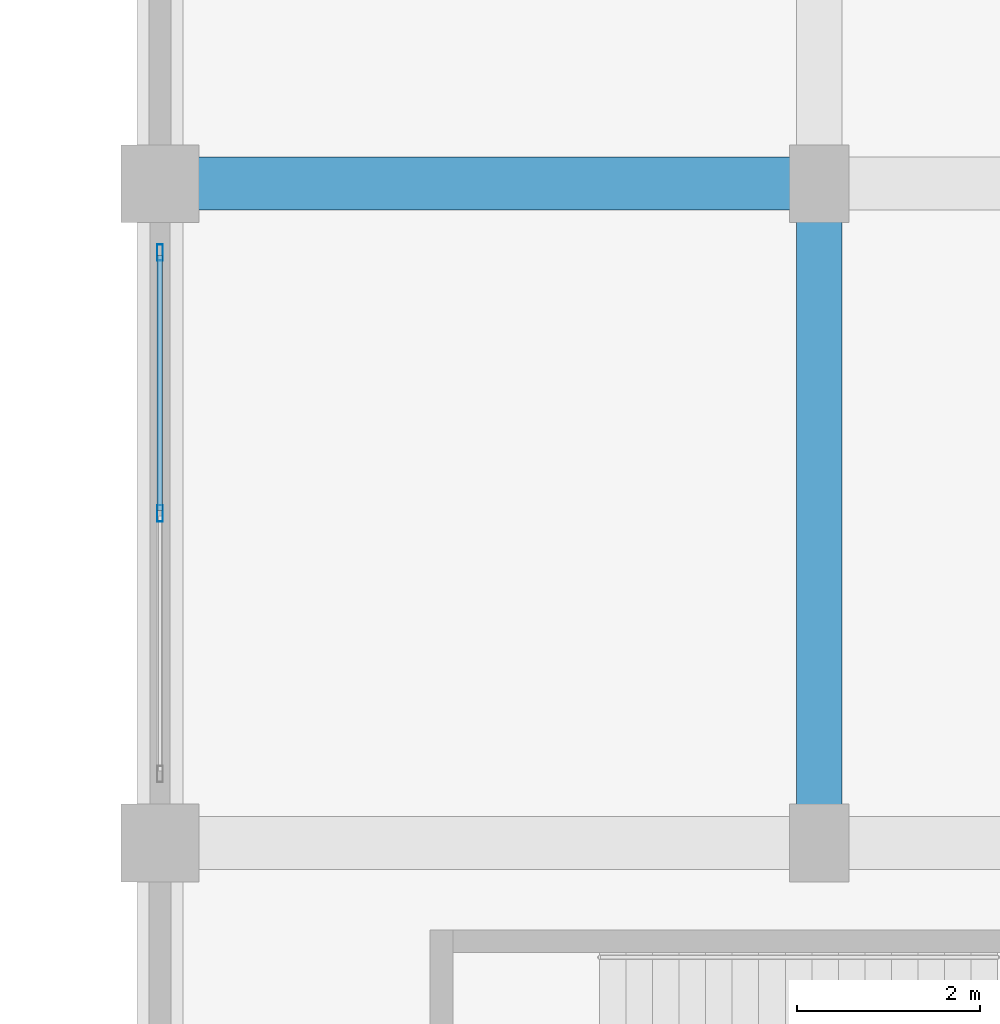
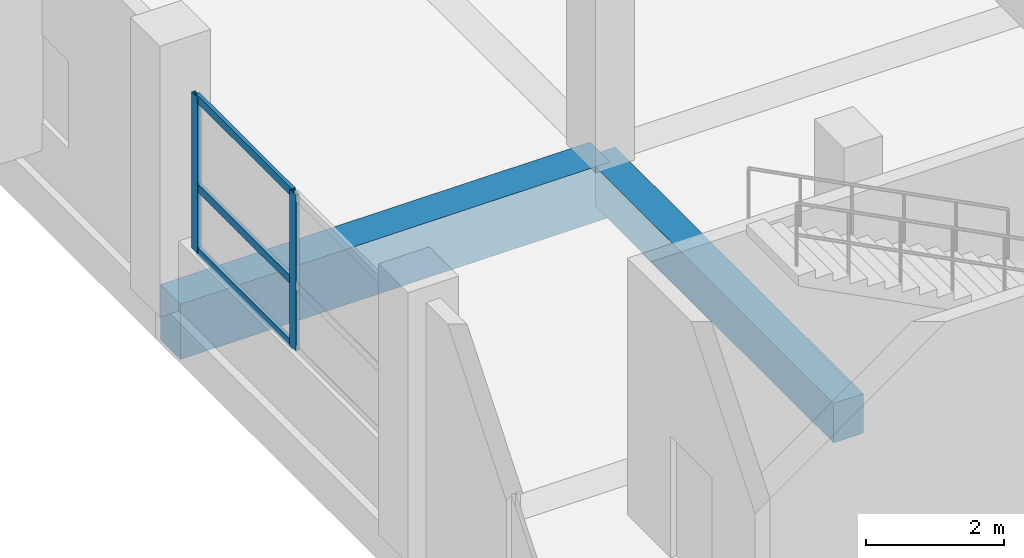
# One storey, part 102 of 181: 5 members, 2 beams, 1 element without a shape of its own.
"""IFC4 building model written with IfcOpenShell, lengths in metres."""

import ifcopenshell
import ifcopenshell.guid

model = None  # the IFC model being written
_history = None  # IfcOwnerHistory: only IFC2X3 demands one
_inside = {}  # id of a spatial element -> (the spatial element, [elements in it])
_under = {}  # id of a project, library or spatial element -> (it, [spatial elements below it])
_declared = {}  # id of a project -> (the project, [libraries it declares])
_typed = {}  # id of a type object -> (the type object, [elements of that type])
_made_of = {}  # id of a material, layer set ... -> (it, [elements and type objects made of it])


def new_model(schema):
    """Start an empty IFC model of exactly this schema.

    Asked for "IFC4X3", IfcOpenShell would pick the latest addendum, in which some entities
    have other attributes; the version numbers below select the first issue.
    IFC2X3 requires an IfcOwnerHistory on every rooted entity: one is made here for all.
    """
    global model, _history
    if schema == "IFC4X3":
        model = ifcopenshell.file(schema_version=(4, 3, 0, 0))
    else:
        model = ifcopenshell.file(schema=schema)
    _inside.clear()
    _under.clear()
    _declared.clear()
    _typed.clear()
    _made_of.clear()
    _history = None
    if model.schema == "IFC2X3":
        org = make("IfcOrganization", Name="unknown")
        user = make(
            "IfcPersonAndOrganization",
            ThePerson=make("IfcPerson", FamilyName="unknown"),
            TheOrganization=org,
        )
        app = make(
            "IfcApplication",
            ApplicationDeveloper=org,
            Version="unknown",
            ApplicationFullName="unknown",
            ApplicationIdentifier="unknown",
        )
        _history = make(
            "IfcOwnerHistory",
            OwningUser=user,
            OwningApplication=app,
            ChangeAction="ADDED",
            CreationDate=0,
        )
    return model


def make(cls, **values):
    """One entity of the class cls with the attributes given. An attribute that is None is left unset."""
    return model.create_entity(
        cls, **{name: value for name, value in values.items() if value is not None}
    )


def rooted(cls, **values):
    """An entity with a GlobalId (a new one), such as an element, a storey or a relation."""
    return make(cls, GlobalId=ifcopenshell.guid.new(), OwnerHistory=_history, **values)


def si_unit(unit_type, name, prefix=None):
    """IfcSIUnit, for example si_unit("LENGTHUNIT", "METRE", prefix="MILLI")."""
    return make("IfcSIUnit", UnitType=unit_type, Prefix=prefix, Name=name)


def assignment(units):
    """IfcUnitAssignment: the units of a project."""
    return None if units is None else make("IfcUnitAssignment", Units=units)


def point(xyz):
    """IfcCartesianPoint."""
    return None if xyz is None else make("IfcCartesianPoint", Coordinates=xyz)


def direction(xyz):
    """IfcDirection."""
    return None if xyz is None else make("IfcDirection", DirectionRatios=xyz)


def frame(location, z_axis=None, x_axis=None):
    """IfcAxis2Placement3D, a coordinate frame: its origin and axes. An axis left out is left unset."""
    return make(
        "IfcAxis2Placement3D",
        Location=point(location),
        Axis=direction(z_axis),
        RefDirection=direction(x_axis),
    )


def frame_2d(location, x_axis=None):
    """IfcAxis2Placement2D, a coordinate frame in the plane: its origin and x axis."""
    return make(
        "IfcAxis2Placement2D", Location=point(location), RefDirection=direction(x_axis)
    )


def origin():
    """The frame at (0, 0, 0) with its axes left unset."""
    return frame((0.0, 0.0, 0.0))


def origin_2d():
    """The frame at (0, 0) in the plane with its x axis left unset."""
    return frame_2d((0.0, 0.0))


def place(relative_to, where):
    """IfcLocalPlacement: puts the frame where relative to a parent placement (None: the world)."""
    return make(
        "IfcLocalPlacement", PlacementRelTo=relative_to, RelativePlacement=where
    )


def context(
    kind, dimensions, precision=None, world=None, true_north=None, identifier=None
):
    """IfcGeometricRepresentationContext, for example the 3D "Model" context."""
    return make(
        "IfcGeometricRepresentationContext",
        ContextIdentifier=identifier,
        ContextType=kind,
        CoordinateSpaceDimension=dimensions,
        Precision=precision,
        WorldCoordinateSystem=world,
        TrueNorth=true_north,
    )


def subcontext(parent, identifier, kind, view, scale=None):
    """IfcGeometricRepresentationSubContext, for example "Body" below "Model"."""
    return make(
        "IfcGeometricRepresentationSubContext",
        ContextIdentifier=identifier,
        ContextType=kind,
        ParentContext=parent,
        TargetScale=scale,
        TargetView=view,
    )


def project(units=None, contexts=None):
    """IfcProject with its units and contexts."""
    return rooted(
        "IfcProject",
        Name="project",
        RepresentationContexts=contexts,
        UnitsInContext=assignment(units),
    )


def spatial(cls, under=None, at=None, **own):
    """A site, building, storey or space (cls), placed at a placement, below another one or the project."""
    s = rooted(cls, ObjectPlacement=at, **own)
    if under is not None:
        _under.setdefault(under.id(), (under, []))[1].append(s)
    return s


def profile(cls, at=None, kind="AREA", **sizes):
    """A parametric profile (cls). Its sizes go by their IFC names, for example OverallWidth=200.0."""
    return make(cls, ProfileType=kind, Position=at, **sizes)


def rectangle(**sizes):
    """IfcRectangleProfileDef."""
    return profile("IfcRectangleProfileDef", **sizes)


def hollow_rectangle(**sizes):
    """IfcRectangleHollowProfileDef."""
    return profile("IfcRectangleHollowProfileDef", **sizes)


def extrude(swept, where, along, depth):
    """IfcExtrudedAreaSolid: the profile swept, set in the frame where, extruded along a direction by depth."""
    return make(
        "IfcExtrudedAreaSolid",
        SweptArea=swept,
        Position=where,
        ExtrudedDirection=direction(along),
        Depth=depth,
    )


def shape(context_of_items, identifier, shape_type, items):
    """IfcShapeRepresentation: the items that make up one representation, for example the "Body"."""
    return make(
        "IfcShapeRepresentation",
        ContextOfItems=context_of_items,
        RepresentationIdentifier=identifier,
        RepresentationType=shape_type,
        Items=items,
    )


def material(Name=None, Category=None):
    """IfcMaterial."""
    return make("IfcMaterial", Name=Name, Category=Category)


def layer(
    of_material, thickness, ventilated=None, Name=None, Category=None, Priority=None
):
    """IfcMaterialLayer: one layer of a wall or slab, of a material (None: an air gap)."""
    return make(
        "IfcMaterialLayer",
        Material=of_material,
        LayerThickness=thickness,
        IsVentilated=ventilated,
        Name=Name,
        Category=Category,
        Priority=Priority,
    )


def layer_set(layers, Name=None):
    """IfcMaterialLayerSet."""
    return make("IfcMaterialLayerSet", MaterialLayers=layers, LayerSetName=Name)


def material_profile(
    of_material, cross_section, Name=None, Category=None, Priority=None
):
    """IfcMaterialProfile: a cross section and its material."""
    return make(
        "IfcMaterialProfile",
        Name=Name,
        Material=of_material,
        Profile=cross_section,
        Priority=Priority,
        Category=Category,
    )


def profile_set(profiles, Name=None, composite=None):
    """IfcMaterialProfileSet."""
    return make(
        "IfcMaterialProfileSet",
        Name=Name,
        MaterialProfiles=profiles,
        CompositeProfile=composite,
    )


def made_of(thing, what):
    """Note that an element or type object is made of a material, layer set ...; save() writes the relation."""
    if what is not None:
        _made_of.setdefault(what.id(), (what, []))[1].append(thing)
    return thing


def type_object(cls, material=None, **own):
    """A type object (cls), such as IfcWallType, which elements share."""
    return made_of(rooted(cls, **own), material)


def element(
    cls,
    number,
    at=None,
    inside=None,
    cuts=None,
    type_object=None,
    material=None,
    context=None,
    identifier="Body",
    shape_type=None,
    held_by="IfcProductDefinitionShape",
    body=None,
    shapes=None,
    **own,
):
    """One element of the class cls, such as IfcWall. Its Tag is "e" and its number.

    at: its placement. inside: the storey or other place that contains it. cuts: it is an
    opening in that element (IfcRelVoidsElement). A single representation is given by context,
    identifier, shape_type and body (its items); several are given by shapes. held_by: the class
    of the entity that holds the representations. save() writes the other relations.
    """
    e = rooted(cls, Tag="e%d" % number, ObjectPlacement=at, **own)
    if body is not None:
        shapes = [shape(context, identifier, shape_type, body)]
    if shapes is not None:
        e.Representation = make(held_by, Representations=shapes)
    if inside is not None:
        _inside.setdefault(inside.id(), (inside, []))[1].append(e)
    if cuts is not None:
        rooted(
            "IfcRelVoidsElement", RelatingBuildingElement=cuts, RelatedOpeningElement=e
        )
    if type_object is not None:
        _typed.setdefault(type_object.id(), (type_object, []))[1].append(e)
    return made_of(e, material)


def aggregate(whole, parts):
    """IfcRelAggregates: a whole, such as a stair, and the parts it consists of."""
    return rooted("IfcRelAggregates", RelatingObject=whole, RelatedObjects=parts)


def save(model, path):
    """Write the relations noted so far, then the file.

    IfcRelAggregates (storeys below a building ...), IfcRelContainedInSpatialStructure (elements
    in a storey), IfcRelDefinesByType, IfcRelAssociatesMaterial and IfcRelDeclares: one each for
    every whole, place, type object, material and project.
    """
    for whole, parts in _under.values():
        aggregate(whole, parts)
    for where, things in _inside.values():
        rooted(
            "IfcRelContainedInSpatialStructure",
            RelatedElements=things,
            RelatingStructure=where,
        )
    for kind, things in _typed.values():
        rooted("IfcRelDefinesByType", RelatedObjects=things, RelatingType=kind)
    for what, things in _made_of.values():
        rooted("IfcRelAssociatesMaterial", RelatedObjects=things, RelatingMaterial=what)
    for by, libraries in _declared.values():
        rooted("IfcRelDeclares", RelatingContext=by, RelatedDefinitions=libraries)
    model.write(path)


model = new_model("IFC4")

# Units and contexts
model_context = context("Model", 3, precision=1e-05, world=origin(), true_north=direction((0.0, 1.0)))
body_context = subcontext(model_context, "Body", "Model", "MODEL_VIEW")
ifc_project = project(units=[si_unit("LENGTHUNIT", "METRE"), si_unit("AREAUNIT", "SQUARE_METRE"), si_unit("VOLUMEUNIT", "CUBIC_METRE"), si_unit("PLANEANGLEUNIT", "RADIAN"), si_unit("MASSUNIT", "GRAM", prefix="KILO")], contexts=[model_context])

# Site, building, storey
site_placement = place(None, origin())
site = spatial("IfcSite", under=ifc_project, at=site_placement, CompositionType="ELEMENT")
building_placement = place(site_placement, origin())
building = spatial("IfcBuilding", under=site, at=building_placement, Name="Seraya Terrace Polytechnic", CompositionType="ELEMENT")
storey_placement = place(building_placement, frame((0.0, 0.0, 4.800048828125)))
storey = spatial("IfcBuildingStorey", under=building, at=storey_placement, Name="L01", CompositionType="ELEMENT", Elevation=4.800048828125)

# Beams
ifc_material_1 = material(Name="Concrete C40/50", Category="concrete")
ifc_material_profile_1 = material_profile(ifc_material_1, rectangle(XDim=0.580078125, YDim=0.97998046875, at=origin_2d()), Name="RC 580x980")
ifc_profile_set_1 = profile_set([ifc_material_profile_1], Name="Concrete C40/50")
beam_type_1 = type_object("IfcBeamType", Name="BM-02", PredefinedType="BEAM", material=ifc_profile_set_1)
beam_1_placement = place(storey_placement, frame((115.199951171875, 100.800048828125, -0.489990234375), z_axis=(1.0, 0.0, 0.0), x_axis=(0.0, 1.0, 0.0)))
element("IfcBeam", 1, at=beam_1_placement, inside=storey, type_object=beam_type_1, Name="Beam BM-02 L01 X (115.2..122.4, 100.8)", PredefinedType="BEAM", context=body_context, shape_type="SweptSolid", body=[
    extrude(rectangle(XDim=0.580078125, YDim=0.97998046875, at=origin_2d()), origin(), (0.0, 0.0, 1.0), 7.199951171875),
])
ifc_material_profile_2 = material_profile(ifc_material_1, rectangle(XDim=0.5, YDim=0.699951171875, at=origin_2d()), Name="RC 500x700")
ifc_profile_set_2 = profile_set([ifc_material_profile_2], Name="Concrete C40/50")
beam_type_2 = type_object("IfcBeamType", Name="BM-07", PredefinedType="BEAM", material=ifc_profile_set_2)
beam_2_placement = place(storey_placement, frame((122.39990234375, 93.60009765625, -0.35009765625), z_axis=(0.0, 1.0, 0.0), x_axis=(-1.0, 0.0, 0.0)))
element("IfcBeam", 2, at=beam_2_placement, inside=storey, type_object=beam_type_2, Name="Beam BM-07 L01 Y (122.4, 93.6..100.8)", PredefinedType="BEAM", context=body_context, shape_type="SweptSolid", body=[
    extrude(rectangle(XDim=0.5, YDim=0.699951171875, at=origin_2d()), origin(), (0.0, 0.0, 1.0), 7.199951171875),
])

# Curtain wall, members
ifc_material_2 = material(Name="Anodised aluminium EN AW-6063 T6", Category="aluminium")
ifc_layer = layer(ifc_material_2, 0.179931640625, Name="CW-16")
ifc_layer_set = layer_set([ifc_layer], Name="Anodised aluminium EN AW-6063 T6")
curtain_wall_type = type_object("IfcCurtainWallType", Name="CW-16", PredefinedType="NOTDEFINED", material=ifc_layer_set)
curtain_wall_placement = place(storey_placement, origin())
curtain_wall = element("IfcCurtainWall", 3, at=curtain_wall_placement, inside=storey, type_object=curtain_wall_type, Name="Unitised curtain wall CW-16 (CW-L01-016)", PredefinedType="NOTDEFINED")
ifc_material_profile_3 = material_profile(ifc_material_2, hollow_rectangle(XDim=0.06494140625, YDim=0.179931640625, WallThickness=0.00390625, at=origin_2d()), Name="RHS 180x65x4.0")
ifc_profile_set_3 = profile_set([ifc_material_profile_3], Name="Anodised aluminium EN AW-6063 T6")
member_type_1 = type_object("IfcMemberType", Name="CWM-01", PredefinedType="MULLION", material=ifc_profile_set_3)
member_1_placement = place(storey_placement, frame((115.199951171875, 97.199951171875, 1.239990234375), z_axis=(0.0, 0.0, 1.0), x_axis=(-1.0, 0.0, 0.0)))
member_1 = element("IfcMember", 4, at=member_1_placement, type_object=member_type_1, Name="CW-16 mullion 2", PredefinedType="MULLION", context=body_context, shape_type="SweptSolid", body=[
    extrude(hollow_rectangle(XDim=0.06494140625, YDim=0.179931640625, WallThickness=0.00390625, at=origin_2d()), origin(), (0.0, 0.0, 1.0), 2.760009765625),
])
member_2_placement = place(storey_placement, frame((115.199951171875, 100.047607421875, 1.239990234375), z_axis=(0.0, 0.0, 1.0), x_axis=(-1.0, 0.0, 0.0)))
member_2 = element("IfcMember", 5, at=member_2_placement, type_object=member_type_1, Name="CW-16 mullion 3", PredefinedType="MULLION", context=body_context, shape_type="SweptSolid", body=[
    extrude(hollow_rectangle(XDim=0.06494140625, YDim=0.179931640625, WallThickness=0.00390625, at=origin_2d()), origin(), (0.0, 0.0, 1.0), 2.760009765625),
])
ifc_material_profile_4 = material_profile(ifc_material_2, hollow_rectangle(XDim=0.06005859375, YDim=0.139892578125, WallThickness=0.00341796875, at=origin_2d()), Name="RHS 140x60x3.5")
ifc_profile_set_4 = profile_set([ifc_material_profile_4], Name="Anodised aluminium EN AW-6063 T6")
member_type_2 = type_object("IfcMemberType", Name="CWT-01", PredefinedType="USERDEFINED", material=ifc_profile_set_4)
member_3_placement = place(storey_placement, frame((115.199951171875, 97.232421875, 1.27001953125), z_axis=(0.0, 1.0, 0.0), x_axis=(-1.0, 0.0, 0.0)))
member_3 = element("IfcMember", 6, at=member_3_placement, type_object=member_type_2, Name="CW-16 transom 2.1", ObjectType="TRANSOM", PredefinedType="USERDEFINED", context=body_context, shape_type="SweptSolid", body=[
    extrude(hollow_rectangle(XDim=0.06005859375, YDim=0.139892578125, WallThickness=0.00341796875, at=origin_2d()), origin(), (0.0, 0.0, 1.0), 2.782470703125),
])
member_4_placement = place(storey_placement, frame((115.199951171875, 97.232421875, 2.399169921875), z_axis=(0.0, 1.0, 0.0), x_axis=(-1.0, 0.0, 0.0)))
member_4 = element("IfcMember", 7, at=member_4_placement, type_object=member_type_2, Name="CW-16 transom 2.2", ObjectType="TRANSOM", PredefinedType="USERDEFINED", context=body_context, shape_type="SweptSolid", body=[
    extrude(hollow_rectangle(XDim=0.06005859375, YDim=0.139892578125, WallThickness=0.00341796875, at=origin_2d()), origin(), (0.0, 0.0, 1.0), 2.782470703125),
])
member_5_placement = place(storey_placement, frame((115.199951171875, 97.232421875, 3.969970703125), z_axis=(0.0, 1.0, 0.0), x_axis=(-1.0, 0.0, 0.0)))
member_5 = element("IfcMember", 8, at=member_5_placement, type_object=member_type_2, Name="CW-16 transom 2.3", ObjectType="TRANSOM", PredefinedType="USERDEFINED", context=body_context, shape_type="SweptSolid", body=[
    extrude(hollow_rectangle(XDim=0.06005859375, YDim=0.139892578125, WallThickness=0.00341796875, at=origin_2d()), origin(), (0.0, 0.0, 1.0), 2.782470703125),
])
aggregate(curtain_wall, [member_1, member_2, member_3, member_4, member_5])

save(model, "model.ifc")
